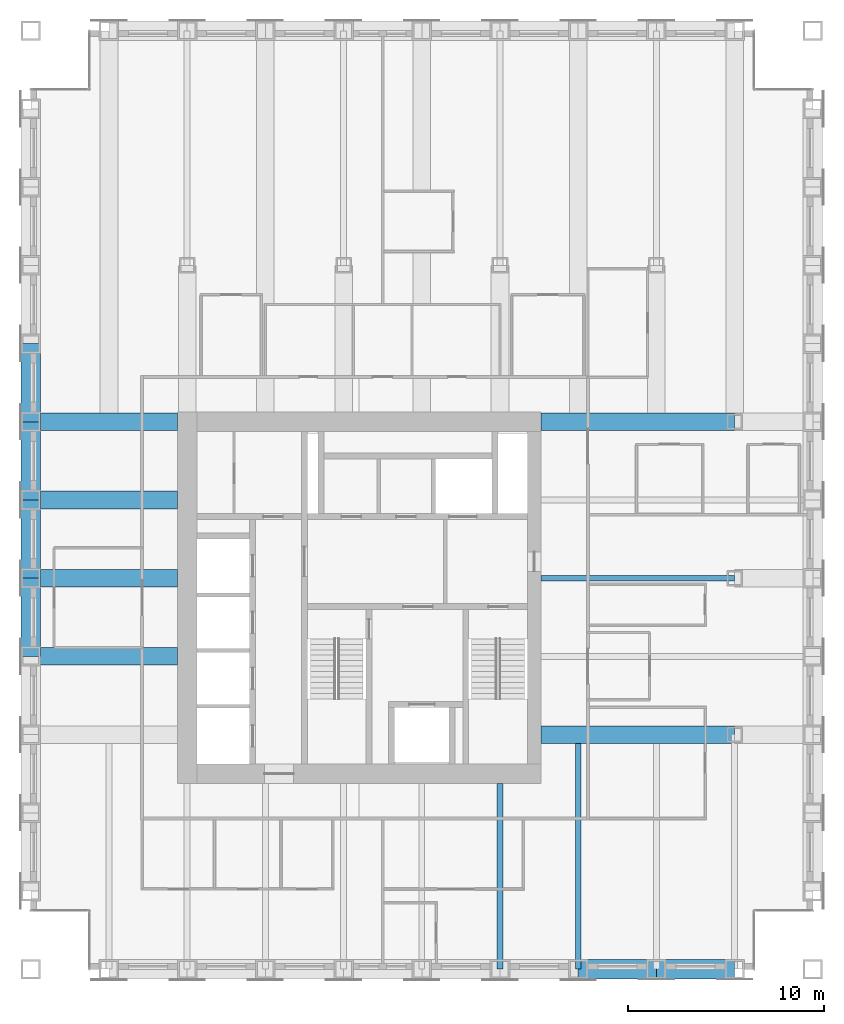
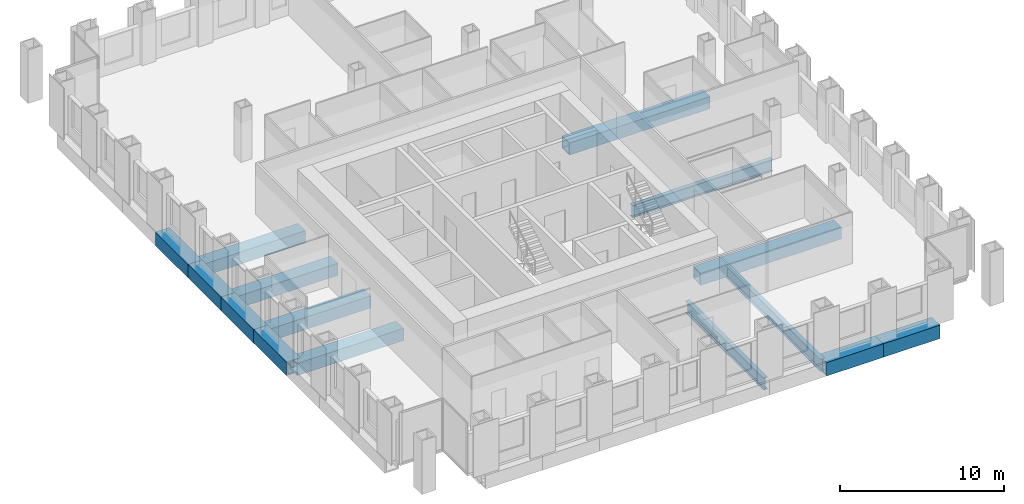
# One storey, part 3 of 14: 15 beams.
"""IFC4 building model written with IfcOpenShell, lengths in metres."""

from ifc_helpers import new_model, si_unit, direction, frame, origin, origin_2d, place, context, subcontext, project, spatial, hollow_rectangle, i_section, extrude, material, material_profile, profile_set, type_object, element, save


model = new_model("IFC4")

# Units and contexts
model_context = context("Model", 3, precision=1e-05, world=origin(), true_north=direction((0.0, 1.0)))
body_context = subcontext(model_context, "Body", "Model", "MODEL_VIEW")
ifc_project = project(units=[si_unit("LENGTHUNIT", "METRE"), si_unit("AREAUNIT", "SQUARE_METRE"), si_unit("VOLUMEUNIT", "CUBIC_METRE"), si_unit("PLANEANGLEUNIT", "RADIAN"), si_unit("MASSUNIT", "GRAM", prefix="KILO")], contexts=[model_context])

# Site, building, storey
site_placement = place(None, origin())
site = spatial("IfcSite", under=ifc_project, at=site_placement, CompositionType="ELEMENT")
building_placement = place(site_placement, origin())
building = spatial("IfcBuilding", under=site, at=building_placement, Name="Rimbunsela Tower", CompositionType="ELEMENT")
storey_placement = place(building_placement, frame((0.0, 0.0, 226.199951171875)))
storey = spatial("IfcBuildingStorey", under=building, at=storey_placement, Name="L54", CompositionType="ELEMENT", Elevation=226.199951171875)

# Beams
ifc_material_1 = material(Name="Steel BJ 55 (fy 410 MPa)", Category="steel")
ifc_material_profile_1 = material_profile(ifc_material_1, hollow_rectangle(XDim=1.0, YDim=1.0, WallThickness=0.10009765625, at=origin_2d()), Name="BOX 1000x1000x100")
ifc_profile_set_1 = profile_set([ifc_material_profile_1], Name="Steel BJ 55 (fy 410 MPa)")
beam_type_1 = type_object("IfcBeamType", Name="Beam BOX 1000x1000x100", PredefinedType="BEAM", material=ifc_profile_set_1)
for number, where, z_axis, x_axis, name in (
    (1, (10.0, 24.0, -0.64990234375), (0.0, 1.0, 0.0), (-1.0, 0.0, 0.0), "Beam B3 L54"),
    (2, (10.0, 28.0, -0.64990234375), (0.0, 1.0, 0.0), (-1.0, 0.0, 0.0), "Beam B3 L54"),
    (3, (10.0, 32.0, -0.64990234375), (0.0, 1.0, 0.0), (-1.0, 0.0, 0.0), "Beam B3 L54"),
    (4, (10.0, 36.0, -0.64990234375), (0.0, 1.0, 0.0), (-1.0, 0.0, 0.0), "Beam B3 L54"),
    (5, (38.0, 8.0, -0.64990234375), (1.0, 0.0, 0.0), (0.0, 1.0, 0.0), "Beam B3 L54"),
    (6, (42.0, 8.0, -0.64990234375), (1.0, 0.0, 0.0), (0.0, 1.0, 0.0), "Beam B3 L54"),
):
    element("IfcBeam", number, at=place(storey_placement, frame(where, z_axis=z_axis, x_axis=x_axis)), inside=storey, type_object=beam_type_1, Name=name, PredefinedType="BEAM", context=body_context, shape_type="SweptSolid", body=[
        extrude(hollow_rectangle(XDim=1.0, YDim=1.0, WallThickness=0.10009765625, at=origin_2d()), origin(), (0.0, 0.0, 1.0), 4.0),
    ])
ifc_material_2 = material(Name="Steel BJ 55 (fy 410 MPa)", Category="steel")
ifc_material_profile_2 = material_profile(ifc_material_2, hollow_rectangle(XDim=0.89990234375, YDim=0.89990234375, WallThickness=0.06005859375, at=origin_2d()), Name="BOX 900x900x60")
ifc_profile_set_2 = profile_set([ifc_material_profile_2], Name="Steel BJ 55 (fy 410 MPa)")
beam_type_2 = type_object("IfcBeamType", Name="Beam BOX 900x900x60", PredefinedType="BEAM", material=ifc_profile_set_2)
for number, where, z_axis, x_axis, name in (
    (7, (10.0, 24.0, -0.599853515625), (1.0, 0.0, 0.0), (0.0, 1.0, 0.0), "Beam B1 L54"),
    (8, (10.0, 28.0, -0.599853515625), (1.0, 0.0, 0.0), (0.0, 1.0, 0.0), "Beam B1 L54"),
    (9, (10.0, 32.0, -0.599853515625), (1.0, 0.0, 0.0), (0.0, 1.0, 0.0), "Beam B1 L54"),
    (10, (10.0, 36.0, -0.599853515625), (1.0, 0.0, 0.0), (0.0, 1.0, 0.0), "Beam B1 L54"),
):
    element("IfcBeam", number, at=place(storey_placement, frame(where, z_axis=z_axis, x_axis=x_axis)), inside=storey, type_object=beam_type_2, Name=name, PredefinedType="BEAM", context=body_context, shape_type="SweptSolid", body=[
        extrude(hollow_rectangle(XDim=0.89990234375, YDim=0.89990234375, WallThickness=0.06005859375, at=origin_2d()), origin(), (0.0, 0.0, 1.0), 7.5),
    ])
for number, where, z_axis, x_axis, name in (
    (11, (36.10009765625, 20.0, -0.599853515625), (1.0, 0.0, 0.0), (0.0, 1.0, 0.0), "Beam B1 L54"),
    (12, (36.10009765625, 36.0, -0.599853515625), (1.0, 0.0, 0.0), (0.0, 1.0, 0.0), "Beam B1 L54"),
):
    element("IfcBeam", number, at=place(storey_placement, frame(where, z_axis=z_axis, x_axis=x_axis)), inside=storey, type_object=beam_type_2, Name=name, PredefinedType="BEAM", context=body_context, shape_type="SweptSolid", body=[
        extrude(hollow_rectangle(XDim=0.89990234375, YDim=0.89990234375, WallThickness=0.06005859375, at=origin_2d()), origin(), (0.0, 0.0, 1.0), 9.89990234375),
    ])
ifc_material_3 = material(Name="Steel BJ 55 (fy 410 MPa)", Category="steel")
ifc_material_profile_3 = material_profile(ifc_material_3, i_section(OverallWidth=0.300048828125, OverallDepth=0.89990234375, WebThickness=0.01611328125, FlangeThickness=0.028076171875, FilletRadius=0.028076171875, at=origin_2d()), Name="H 900x300x16x28")
ifc_profile_set_3 = profile_set([ifc_material_profile_3], Name="Steel BJ 55 (fy 410 MPa)")
beam_type_3 = type_object("IfcBeamType", Name="Beam H 900x300x16x28", PredefinedType="BEAM", material=ifc_profile_set_3)
beam_1_placement = place(storey_placement, frame((34.0, 8.0, -0.599853515625), z_axis=(0.0, 1.0, 0.0), x_axis=(-1.0, 0.0, 0.0)))
element("IfcBeam", 13, at=beam_1_placement, inside=storey, type_object=beam_type_3, Name="Beam B2 L54", PredefinedType="BEAM", context=body_context, shape_type="SweptSolid", body=[
    extrude(i_section(OverallWidth=0.300048828125, OverallDepth=0.89990234375, WebThickness=0.01611328125, FlangeThickness=0.028076171875, FilletRadius=0.028076171875, at=origin_2d()), origin(), (0.0, 0.0, 1.0), 9.5),
])
beam_2_placement = place(storey_placement, frame((36.10009765625, 28.0, -0.599853515625), z_axis=(1.0, 0.0, 0.0), x_axis=(0.0, 1.0, 0.0)))
element("IfcBeam", 14, at=beam_2_placement, inside=storey, type_object=beam_type_3, Name="Beam B2 L54", PredefinedType="BEAM", context=body_context, shape_type="SweptSolid", body=[
    extrude(i_section(OverallWidth=0.300048828125, OverallDepth=0.89990234375, WebThickness=0.01611328125, FlangeThickness=0.028076171875, FilletRadius=0.028076171875, at=origin_2d()), origin(), (0.0, 0.0, 1.0), 9.89990234375),
])
beam_3_placement = place(storey_placement, frame((38.0, 8.0, -0.599853515625), z_axis=(0.0, 1.0, 0.0), x_axis=(-1.0, 0.0, 0.0)))
element("IfcBeam", 15, at=beam_3_placement, inside=storey, type_object=beam_type_3, Name="Beam B2 L54", PredefinedType="BEAM", context=body_context, shape_type="SweptSolid", body=[
    extrude(i_section(OverallWidth=0.300048828125, OverallDepth=0.89990234375, WebThickness=0.01611328125, FlangeThickness=0.028076171875, FilletRadius=0.028076171875, at=origin_2d()), origin(), (0.0, 0.0, 1.0), 11.550048828125),
])

save(model, "model.ifc")
